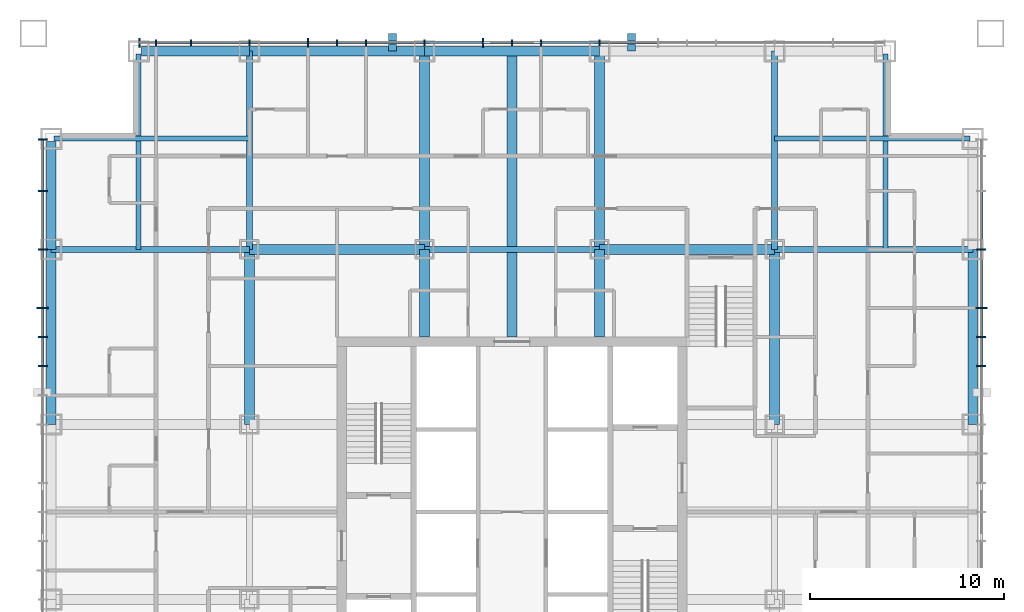
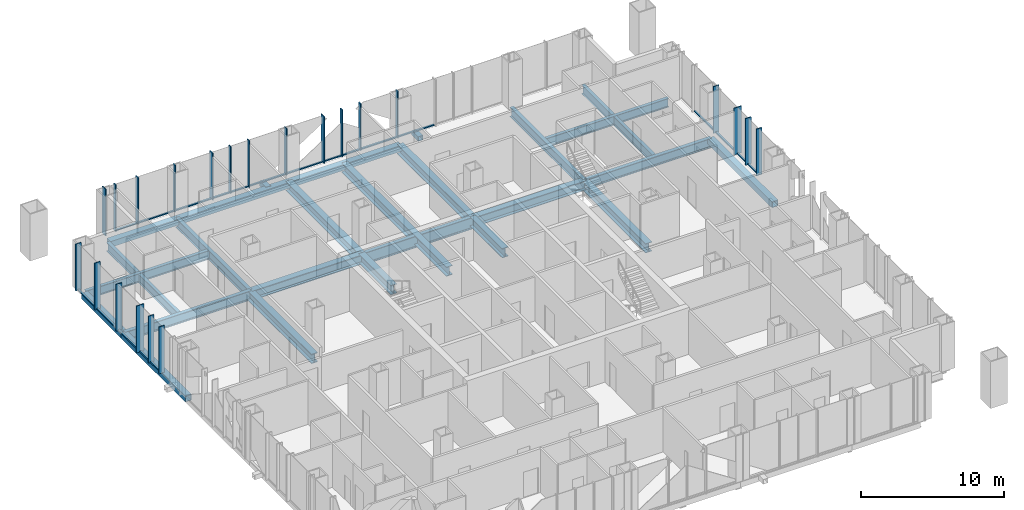
# One storey, part 5 of 16: 44 members, 24 beams, 3 elements without a shape of their own.
"""IFC4 building model written with IfcOpenShell, lengths in metres."""

from ifc_helpers import new_model, si_unit, direction, frame, origin, origin_2d, place, context, subcontext, project, spatial, rectangle, hollow_rectangle, i_section, extrude, material, layer, layer_set, material_profile, profile_set, type_object, element, aggregate, save


model = new_model("IFC4")

# Units and contexts
model_context = context("Model", 3, precision=1e-05, world=origin(), true_north=direction((0.0, 1.0)))
body_context = subcontext(model_context, "Body", "Model", "MODEL_VIEW")
ifc_project = project(units=[si_unit("LENGTHUNIT", "METRE"), si_unit("AREAUNIT", "SQUARE_METRE"), si_unit("VOLUMEUNIT", "CUBIC_METRE"), si_unit("PLANEANGLEUNIT", "RADIAN"), si_unit("MASSUNIT", "GRAM", prefix="KILO")], contexts=[model_context])

# Site, building, storey
site_placement = place(None, origin())
site = spatial("IfcSite", under=ifc_project, at=site_placement, CompositionType="ELEMENT")
building_placement = place(site_placement, origin())
building = spatial("IfcBuilding", under=site, at=building_placement, Name="Malebo Sky Hospital", CompositionType="ELEMENT")
storey_placement = place(building_placement, frame((0.0, 0.0, 152.0)))
storey = spatial("IfcBuildingStorey", under=building, at=storey_placement, Name="L36", CompositionType="ELEMENT", Elevation=152.0)

# Curtain wall, members
ifc_material_1 = material(Name="Anodised aluminium, natural silver", Category="aluminium")
ifc_layer_1 = layer(ifc_material_1, 0.25)
ifc_layer_set_1 = layer_set([ifc_layer_1], Name="WARD CURTAIN WALL NORTH AND SOUTH")
curtain_wall_type_1 = type_object("IfcCurtainWallType", Name="WARD CURTAIN WALL NORTH AND SOUTH", PredefinedType="NOTDEFINED", material=ifc_layer_set_1)
curtain_wall_1_placement = place(storey_placement, origin())
curtain_wall_1 = element("IfcCurtainWall", 1, at=curtain_wall_1_placement, inside=storey, type_object=curtain_wall_type_1, Name="NS curtain wall N", PredefinedType="NOTDEFINED")
ifc_material_profile_1 = material_profile(ifc_material_1, rectangle(XDim=0.14990234375, YDim=0.10009765625, at=origin_2d()), Name="ALUMINIUM TRANSOM 150x100")
ifc_profile_set_1 = profile_set([ifc_material_profile_1], Name="Anodised aluminium, natural silver")
member_type_1 = type_object("IfcMemberType", Name="ALUMINIUM TRANSOM 150x100", PredefinedType="USERDEFINED", material=ifc_profile_set_1)
member_1_placement = place(storey_placement, frame((41.737548828125, 86.135009765625, 0.050048828125), z_axis=(1.0, 0.0, 0.0), x_axis=(0.0, 1.0, 0.0)))
member_1 = element("IfcMember", 2, at=member_1_placement, type_object=member_type_1, Name="Transom 2", ObjectType="TRANSOM", PredefinedType="USERDEFINED", context=body_context, shape_type="SweptSolid", body=[
    extrude(rectangle(XDim=0.14990234375, YDim=0.10009765625, at=origin_2d()), origin(), (0.0, 0.0, 1.0), 1.724853515625),
])
member_2_placement = place(storey_placement, frame((43.53759765625, 86.135009765625, 0.050048828125), z_axis=(1.0, 0.0, 0.0), x_axis=(0.0, 1.0, 0.0)))
member_2 = element("IfcMember", 3, at=member_2_placement, type_object=member_type_1, Name="Transom 3", ObjectType="TRANSOM", PredefinedType="USERDEFINED", context=body_context, shape_type="SweptSolid", body=[
    extrude(rectangle(XDim=0.14990234375, YDim=0.10009765625, at=origin_2d()), origin(), (0.0, 0.0, 1.0), 2.9248046875),
])
member_3_placement = place(storey_placement, frame((46.53759765625, 86.135009765625, 0.050048828125), z_axis=(1.0, 0.0, 0.0), x_axis=(0.0, 1.0, 0.0)))
member_3 = element("IfcMember", 4, at=member_3_placement, type_object=member_type_1, Name="Transom 4", ObjectType="TRANSOM", PredefinedType="USERDEFINED", context=body_context, shape_type="SweptSolid", body=[
    extrude(rectangle(XDim=0.14990234375, YDim=0.10009765625, at=origin_2d()), origin(), (0.0, 0.0, 1.0), 2.9248046875),
])
member_4_placement = place(storey_placement, frame((49.53759765625, 86.135009765625, 0.050048828125), z_axis=(1.0, 0.0, 0.0), x_axis=(0.0, 1.0, 0.0)))
member_4 = element("IfcMember", 5, at=member_4_placement, type_object=member_type_1, Name="Transom 5", ObjectType="TRANSOM", PredefinedType="USERDEFINED", context=body_context, shape_type="SweptSolid", body=[
    extrude(rectangle(XDim=0.14990234375, YDim=0.10009765625, at=origin_2d()), origin(), (0.0, 0.0, 1.0), 1.4248046875),
])
member_5_placement = place(storey_placement, frame((51.03759765625, 86.135009765625, 0.050048828125), z_axis=(1.0, 0.0, 0.0), x_axis=(0.0, 1.0, 0.0)))
member_5 = element("IfcMember", 6, at=member_5_placement, type_object=member_type_1, Name="Transom 6", ObjectType="TRANSOM", PredefinedType="USERDEFINED", context=body_context, shape_type="SweptSolid", body=[
    extrude(rectangle(XDim=0.14990234375, YDim=0.10009765625, at=origin_2d()), origin(), (0.0, 0.0, 1.0), 1.4248046875),
])
member_6_placement = place(storey_placement, frame((52.53759765625, 86.135009765625, 0.050048828125), z_axis=(1.0, 0.0, 0.0), x_axis=(0.0, 1.0, 0.0)))
member_6 = element("IfcMember", 7, at=member_6_placement, type_object=member_type_1, Name="Transom 7", ObjectType="TRANSOM", PredefinedType="USERDEFINED", context=body_context, shape_type="SweptSolid", body=[
    extrude(rectangle(XDim=0.14990234375, YDim=0.10009765625, at=origin_2d()), origin(), (0.0, 0.0, 1.0), 2.9248046875),
])
member_7_placement = place(storey_placement, frame((55.53759765625, 86.135009765625, 0.050048828125), z_axis=(1.0, 0.0, 0.0), x_axis=(0.0, 1.0, 0.0)))
member_7 = element("IfcMember", 8, at=member_7_placement, type_object=member_type_1, Name="Transom 8", ObjectType="TRANSOM", PredefinedType="USERDEFINED", context=body_context, shape_type="SweptSolid", body=[
    extrude(rectangle(XDim=0.14990234375, YDim=0.10009765625, at=origin_2d()), origin(), (0.0, 0.0, 1.0), 2.9248046875),
])
member_8_placement = place(storey_placement, frame((58.53759765625, 86.135009765625, 0.050048828125), z_axis=(1.0, 0.0, 0.0), x_axis=(0.0, 1.0, 0.0)))
member_8 = element("IfcMember", 9, at=member_8_placement, type_object=member_type_1, Name="Transom 9", ObjectType="TRANSOM", PredefinedType="USERDEFINED", context=body_context, shape_type="SweptSolid", body=[
    extrude(rectangle(XDim=0.14990234375, YDim=0.10009765625, at=origin_2d()), origin(), (0.0, 0.0, 1.0), 1.4248046875),
])
member_9_placement = place(storey_placement, frame((60.03759765625, 86.135009765625, 0.050048828125), z_axis=(1.0, 0.0, 0.0), x_axis=(0.0, 1.0, 0.0)))
member_9 = element("IfcMember", 10, at=member_9_placement, type_object=member_type_1, Name="Transom 10", ObjectType="TRANSOM", PredefinedType="USERDEFINED", context=body_context, shape_type="SweptSolid", body=[
    extrude(rectangle(XDim=0.14990234375, YDim=0.10009765625, at=origin_2d()), origin(), (0.0, 0.0, 1.0), 1.4248046875),
])
member_10_placement = place(storey_placement, frame((61.53759765625, 86.135009765625, 0.050048828125), z_axis=(1.0, 0.0, 0.0), x_axis=(0.0, 1.0, 0.0)))
member_10 = element("IfcMember", 11, at=member_10_placement, type_object=member_type_1, Name="Transom 11", ObjectType="TRANSOM", PredefinedType="USERDEFINED", context=body_context, shape_type="SweptSolid", body=[
    extrude(rectangle(XDim=0.14990234375, YDim=0.10009765625, at=origin_2d()), origin(), (0.0, 0.0, 1.0), 2.9248046875),
])
member_11_placement = place(storey_placement, frame((64.53759765625, 86.135009765625, 0.050048828125), z_axis=(1.0, 0.0, 0.0), x_axis=(0.0, 1.0, 0.0)))
member_11 = element("IfcMember", 12, at=member_11_placement, type_object=member_type_1, Name="Transom 12", ObjectType="TRANSOM", PredefinedType="USERDEFINED", context=body_context, shape_type="SweptSolid", body=[
    extrude(rectangle(XDim=0.14990234375, YDim=0.10009765625, at=origin_2d()), origin(), (0.0, 0.0, 1.0), 2.9248046875),
])

ifc_layer_2 = layer(ifc_material_1, 0.25)
ifc_layer_set_2 = layer_set([ifc_layer_2], Name="WARD CURTAIN WALL EAST AND WEST")
curtain_wall_type_2 = type_object("IfcCurtainWallType", Name="WARD CURTAIN WALL EAST AND WEST", PredefinedType="NOTDEFINED", material=ifc_layer_set_2)
curtain_wall_2_placement = place(storey_placement, origin())
curtain_wall_2 = element("IfcCurtainWall", 13, at=curtain_wall_2_placement, inside=storey, type_object=curtain_wall_type_2, Name="EW curtain wall W", PredefinedType="NOTDEFINED")
member_12_placement = place(storey_placement, frame((35.864990234375, 69.53759765625, 0.050048828125), z_axis=(0.0, 1.0, 0.0), x_axis=(-1.0, 0.0, 0.0)))
member_12 = element("IfcMember", 14, at=member_12_placement, type_object=member_type_1, Name="Transom 15", ObjectType="TRANSOM", PredefinedType="USERDEFINED", context=body_context, shape_type="SweptSolid", body=[
    extrude(rectangle(XDim=0.14990234375, YDim=0.10009765625, at=origin_2d()), origin(), (0.0, 0.0, 1.0), 1.4248046875),
])
member_13_placement = place(storey_placement, frame((35.864990234375, 71.03759765625, 0.050048828125), z_axis=(0.0, 1.0, 0.0), x_axis=(-1.0, 0.0, 0.0)))
member_13 = element("IfcMember", 15, at=member_13_placement, type_object=member_type_1, Name="Transom 16", ObjectType="TRANSOM", PredefinedType="USERDEFINED", context=body_context, shape_type="SweptSolid", body=[
    extrude(rectangle(XDim=0.14990234375, YDim=0.10009765625, at=origin_2d()), origin(), (0.0, 0.0, 1.0), 1.4248046875),
])
member_14_placement = place(storey_placement, frame((35.864990234375, 72.53759765625, 0.050048828125), z_axis=(0.0, 1.0, 0.0), x_axis=(-1.0, 0.0, 0.0)))
member_14 = element("IfcMember", 16, at=member_14_placement, type_object=member_type_1, Name="Transom 17", ObjectType="TRANSOM", PredefinedType="USERDEFINED", context=body_context, shape_type="SweptSolid", body=[
    extrude(rectangle(XDim=0.14990234375, YDim=0.10009765625, at=origin_2d()), origin(), (0.0, 0.0, 1.0), 2.9248046875),
])
member_15_placement = place(storey_placement, frame((35.864990234375, 75.53759765625, 0.050048828125), z_axis=(0.0, 1.0, 0.0), x_axis=(-1.0, 0.0, 0.0)))
member_15 = element("IfcMember", 17, at=member_15_placement, type_object=member_type_1, Name="Transom 18", ObjectType="TRANSOM", PredefinedType="USERDEFINED", context=body_context, shape_type="SweptSolid", body=[
    extrude(rectangle(XDim=0.14990234375, YDim=0.10009765625, at=origin_2d()), origin(), (0.0, 0.0, 1.0), 2.9248046875),
])
member_16_placement = place(storey_placement, frame((35.864990234375, 78.53759765625, 0.050048828125), z_axis=(0.0, 1.0, 0.0), x_axis=(-1.0, 0.0, 0.0)))
member_16 = element("IfcMember", 18, at=member_16_placement, type_object=member_type_1, Name="Transom 19", ObjectType="TRANSOM", PredefinedType="USERDEFINED", context=body_context, shape_type="SweptSolid", body=[
    extrude(rectangle(XDim=0.14990234375, YDim=0.10009765625, at=origin_2d()), origin(), (0.0, 0.0, 1.0), 2.58740234375),
])

curtain_wall_3_placement = place(storey_placement, origin())
curtain_wall_3 = element("IfcCurtainWall", 19, at=curtain_wall_3_placement, inside=storey, type_object=curtain_wall_type_2, Name="EW curtain wall E", PredefinedType="NOTDEFINED")
member_17_placement = place(storey_placement, frame((84.135009765625, 78.46240234375, 0.050048828125), z_axis=(0.0, -1.0, 0.0), x_axis=(1.0, 0.0, 0.0)))
member_17 = element("IfcMember", 20, at=member_17_placement, type_object=member_type_1, Name="Transom 3", ObjectType="TRANSOM", PredefinedType="USERDEFINED", context=body_context, shape_type="SweptSolid", body=[
    extrude(rectangle(XDim=0.14990234375, YDim=0.10009765625, at=origin_2d()), origin(), (0.0, 0.0, 1.0), 2.9248046875),
])
member_18_placement = place(storey_placement, frame((84.135009765625, 75.46240234375, 0.050048828125), z_axis=(0.0, -1.0, 0.0), x_axis=(1.0, 0.0, 0.0)))
member_18 = element("IfcMember", 21, at=member_18_placement, type_object=member_type_1, Name="Transom 4", ObjectType="TRANSOM", PredefinedType="USERDEFINED", context=body_context, shape_type="SweptSolid", body=[
    extrude(rectangle(XDim=0.14990234375, YDim=0.10009765625, at=origin_2d()), origin(), (0.0, 0.0, 1.0), 2.9248046875),
])
member_19_placement = place(storey_placement, frame((84.135009765625, 72.46240234375, 0.050048828125), z_axis=(0.0, -1.0, 0.0), x_axis=(1.0, 0.0, 0.0)))
member_19 = element("IfcMember", 22, at=member_19_placement, type_object=member_type_1, Name="Transom 5", ObjectType="TRANSOM", PredefinedType="USERDEFINED", context=body_context, shape_type="SweptSolid", body=[
    extrude(rectangle(XDim=0.14990234375, YDim=0.10009765625, at=origin_2d()), origin(), (0.0, 0.0, 1.0), 1.4248046875),
])
member_20_placement = place(storey_placement, frame((84.135009765625, 70.96240234375, 0.050048828125), z_axis=(0.0, -1.0, 0.0), x_axis=(1.0, 0.0, 0.0)))
member_20 = element("IfcMember", 23, at=member_20_placement, type_object=member_type_1, Name="Transom 6", ObjectType="TRANSOM", PredefinedType="USERDEFINED", context=body_context, shape_type="SweptSolid", body=[
    extrude(rectangle(XDim=0.14990234375, YDim=0.10009765625, at=origin_2d()), origin(), (0.0, 0.0, 1.0), 1.4248046875),
])

# Members
ifc_material_2 = material(Name="Steel S355", Category="steel")
ifc_material_profile_2 = material_profile(ifc_material_2, hollow_rectangle(XDim=0.39990234375, YDim=0.39990234375, WallThickness=0.02001953125, at=origin_2d()), Name="SHS 400x20")
ifc_profile_set_2 = profile_set([ifc_material_profile_2], Name="Steel S355")
member_type_2 = type_object("IfcMemberType", Name="BRACE STRUT SHS 400x20", PredefinedType="STRUT", material=ifc_profile_set_2)
for number, where, z_axis, x_axis, name in (
    (24, (66.14990234375, 86.60009765625, -0.39990234375), (0.0, -1.0, 0.0), (1.0, 0.0, 0.0), "Brace strut BN1 L36"),
    (25, (53.85009765625, 86.60009765625, -0.39990234375), (0.0, -1.0, 0.0), (1.0, 0.0, 0.0), "Brace strut BN2 L36"),
):
    element("IfcMember", number, at=place(storey_placement, frame(where, z_axis=z_axis, x_axis=x_axis)), inside=storey, type_object=member_type_2, Name=name, PredefinedType="STRUT", context=body_context, shape_type="SweptSolid", body=[
        extrude(hollow_rectangle(XDim=0.39990234375, YDim=0.39990234375, WallThickness=0.02001953125, at=origin_2d()), origin(), (0.0, 0.0, 1.0), 0.900146484375),
    ])

# Member
ifc_material_profile_3 = material_profile(ifc_material_1, rectangle(XDim=0.074951171875, YDim=0.300048828125, at=origin_2d()), Name="CW1 ALUMINIUM FIN MULLION 75x300")
ifc_profile_set_3 = profile_set([ifc_material_profile_3], Name="Anodised aluminium, natural silver")
member_type_3 = type_object("IfcMemberType", Name="CW1 ALUMINIUM FIN MULLION 75x300", PredefinedType="MULLION", material=ifc_profile_set_3)
member_21_placement = place(storey_placement, frame((41.699951171875, 86.135009765625, 0.0), z_axis=(0.0, 0.0, 1.0), x_axis=(1.0, 0.0, 0.0)))
member_21 = element("IfcMember", 26, at=member_21_placement, type_object=member_type_3, Name="Fin mullion 2", PredefinedType="MULLION", context=body_context, shape_type="SweptSolid", body=[
    extrude(rectangle(XDim=0.074951171875, YDim=0.300048828125, at=origin_2d()), origin(), (0.0, 0.0, 1.0), 4.0),
])

member_22_placement = place(storey_placement, frame((43.5, 86.135009765625, 0.0), z_axis=(0.0, 0.0, 1.0), x_axis=(1.0, 0.0, 0.0)))
member_22 = element("IfcMember", 27, at=member_22_placement, type_object=member_type_3, Name="Fin mullion 3", PredefinedType="MULLION", context=body_context, shape_type="SweptSolid", body=[
    extrude(rectangle(XDim=0.074951171875, YDim=0.300048828125, at=origin_2d()), origin(), (0.0, 0.0, 1.0), 4.0),
])

member_23_placement = place(storey_placement, frame((46.5, 86.135009765625, 0.0), z_axis=(0.0, 0.0, 1.0), x_axis=(1.0, 0.0, 0.0)))
member_23 = element("IfcMember", 28, at=member_23_placement, type_object=member_type_3, Name="Fin mullion 4", PredefinedType="MULLION", context=body_context, shape_type="SweptSolid", body=[
    extrude(rectangle(XDim=0.074951171875, YDim=0.300048828125, at=origin_2d()), origin(), (0.0, 0.0, 1.0), 4.0),
])

member_24_placement = place(storey_placement, frame((51.0, 86.135009765625, 0.0), z_axis=(0.0, 0.0, 1.0), x_axis=(1.0, 0.0, 0.0)))
member_24 = element("IfcMember", 29, at=member_24_placement, type_object=member_type_3, Name="Fin mullion 6", PredefinedType="MULLION", context=body_context, shape_type="SweptSolid", body=[
    extrude(rectangle(XDim=0.074951171875, YDim=0.300048828125, at=origin_2d()), origin(), (0.0, 0.0, 1.0), 4.0),
])

member_25_placement = place(storey_placement, frame((52.5, 86.135009765625, 0.0), z_axis=(0.0, 0.0, 1.0), x_axis=(1.0, 0.0, 0.0)))
member_25 = element("IfcMember", 30, at=member_25_placement, type_object=member_type_3, Name="Fin mullion 7", PredefinedType="MULLION", context=body_context, shape_type="SweptSolid", body=[
    extrude(rectangle(XDim=0.074951171875, YDim=0.300048828125, at=origin_2d()), origin(), (0.0, 0.0, 1.0), 4.0),
])

member_26_placement = place(storey_placement, frame((55.5, 86.135009765625, 0.0), z_axis=(0.0, 0.0, 1.0), x_axis=(1.0, 0.0, 0.0)))
member_26 = element("IfcMember", 31, at=member_26_placement, type_object=member_type_3, Name="Fin mullion 8", PredefinedType="MULLION", context=body_context, shape_type="SweptSolid", body=[
    extrude(rectangle(XDim=0.074951171875, YDim=0.300048828125, at=origin_2d()), origin(), (0.0, 0.0, 1.0), 4.0),
])

member_27_placement = place(storey_placement, frame((60.0, 86.135009765625, 0.0), z_axis=(0.0, 0.0, 1.0), x_axis=(1.0, 0.0, 0.0)))
member_27 = element("IfcMember", 32, at=member_27_placement, type_object=member_type_3, Name="Fin mullion 10", PredefinedType="MULLION", context=body_context, shape_type="SweptSolid", body=[
    extrude(rectangle(XDim=0.074951171875, YDim=0.300048828125, at=origin_2d()), origin(), (0.0, 0.0, 1.0), 4.0),
])

member_28_placement = place(storey_placement, frame((61.5, 86.135009765625, 0.0), z_axis=(0.0, 0.0, 1.0), x_axis=(1.0, 0.0, 0.0)))
member_28 = element("IfcMember", 33, at=member_28_placement, type_object=member_type_3, Name="Fin mullion 11", PredefinedType="MULLION", context=body_context, shape_type="SweptSolid", body=[
    extrude(rectangle(XDim=0.074951171875, YDim=0.300048828125, at=origin_2d()), origin(), (0.0, 0.0, 1.0), 4.0),
])

member_29_placement = place(storey_placement, frame((64.5, 86.135009765625, 0.0), z_axis=(0.0, 0.0, 1.0), x_axis=(1.0, 0.0, 0.0)))
member_29 = element("IfcMember", 34, at=member_29_placement, type_object=member_type_3, Name="Fin mullion 12", PredefinedType="MULLION", context=body_context, shape_type="SweptSolid", body=[
    extrude(rectangle(XDim=0.074951171875, YDim=0.300048828125, at=origin_2d()), origin(), (0.0, 0.0, 1.0), 4.0),
])

ifc_material_profile_4 = material_profile(ifc_material_1, rectangle(XDim=0.074951171875, YDim=0.449951171875, at=origin_2d()), Name="CW1 ALUMINIUM FIN MULLION 75x450")
ifc_profile_set_4 = profile_set([ifc_material_profile_4], Name="Anodised aluminium, natural silver")
member_type_4 = type_object("IfcMemberType", Name="CW1 ALUMINIUM FIN MULLION 75x450", PredefinedType="MULLION", material=ifc_profile_set_4)
member_30_placement = place(storey_placement, frame((40.83740234375, 86.135009765625, 0.0), z_axis=(0.0, 0.0, 1.0), x_axis=(1.0, 0.0, 0.0)))
member_30 = element("IfcMember", 35, at=member_30_placement, type_object=member_type_4, Name="Fin mullion 1", PredefinedType="MULLION", context=body_context, shape_type="SweptSolid", body=[
    extrude(rectangle(XDim=0.074951171875, YDim=0.449951171875, at=origin_2d()), origin(), (0.0, 0.0, 1.0), 4.0),
])

member_31_placement = place(storey_placement, frame((49.5, 86.135009765625, 0.0), z_axis=(0.0, 0.0, 1.0), x_axis=(1.0, 0.0, 0.0)))
member_31 = element("IfcMember", 36, at=member_31_placement, type_object=member_type_4, Name="Fin mullion 5", PredefinedType="MULLION", context=body_context, shape_type="SweptSolid", body=[
    extrude(rectangle(XDim=0.074951171875, YDim=0.449951171875, at=origin_2d()), origin(), (0.0, 0.0, 1.0), 4.0),
])

member_32_placement = place(storey_placement, frame((58.5, 86.135009765625, 0.0), z_axis=(0.0, 0.0, 1.0), x_axis=(1.0, 0.0, 0.0)))
member_32 = element("IfcMember", 37, at=member_32_placement, type_object=member_type_4, Name="Fin mullion 9", PredefinedType="MULLION", context=body_context, shape_type="SweptSolid", body=[
    extrude(rectangle(XDim=0.074951171875, YDim=0.449951171875, at=origin_2d()), origin(), (0.0, 0.0, 1.0), 4.0),
])

aggregate(curtain_wall_1, [member_30, member_21, member_22, member_23, member_31, member_24, member_25, member_26, member_32, member_27, member_28, member_29, member_1, member_2, member_3, member_4, member_5, member_6, member_7, member_8, member_9, member_10, member_11])

ifc_material_profile_5 = material_profile(ifc_material_1, rectangle(XDim=0.074951171875, YDim=0.449951171875, at=origin_2d()), Name="CW2 ALUMINIUM FIN MULLION 75x450")
ifc_profile_set_5 = profile_set([ifc_material_profile_5], Name="Anodised aluminium, natural silver")
member_type_5 = type_object("IfcMemberType", Name="CW2 ALUMINIUM FIN MULLION 75x450", PredefinedType="MULLION", material=ifc_profile_set_5)
member_33_placement = place(storey_placement, frame((35.864990234375, 69.5, 0.0), z_axis=(0.0, 0.0, 1.0), x_axis=(0.0, 1.0, 0.0)))
member_33 = element("IfcMember", 38, at=member_33_placement, type_object=member_type_5, Name="Fin mullion 15", PredefinedType="MULLION", context=body_context, shape_type="SweptSolid", body=[
    extrude(rectangle(XDim=0.074951171875, YDim=0.449951171875, at=origin_2d()), origin(), (0.0, 0.0, 1.0), 4.0),
])

member_34_placement = place(storey_placement, frame((35.864990234375, 71.0, 0.0), z_axis=(0.0, 0.0, 1.0), x_axis=(0.0, 1.0, 0.0)))
member_34 = element("IfcMember", 39, at=member_34_placement, type_object=member_type_5, Name="Fin mullion 16", PredefinedType="MULLION", context=body_context, shape_type="SweptSolid", body=[
    extrude(rectangle(XDim=0.074951171875, YDim=0.449951171875, at=origin_2d()), origin(), (0.0, 0.0, 1.0), 4.0),
])

member_35_placement = place(storey_placement, frame((35.864990234375, 75.5, 0.0), z_axis=(0.0, 0.0, 1.0), x_axis=(0.0, 1.0, 0.0)))
member_35 = element("IfcMember", 40, at=member_35_placement, type_object=member_type_5, Name="Fin mullion 18", PredefinedType="MULLION", context=body_context, shape_type="SweptSolid", body=[
    extrude(rectangle(XDim=0.074951171875, YDim=0.449951171875, at=origin_2d()), origin(), (0.0, 0.0, 1.0), 4.0),
])

member_36_placement = place(storey_placement, frame((35.864990234375, 78.5, 0.0), z_axis=(0.0, 0.0, 1.0), x_axis=(0.0, 1.0, 0.0)))
member_36 = element("IfcMember", 41, at=member_36_placement, type_object=member_type_5, Name="Fin mullion 19", PredefinedType="MULLION", context=body_context, shape_type="SweptSolid", body=[
    extrude(rectangle(XDim=0.074951171875, YDim=0.449951171875, at=origin_2d()), origin(), (0.0, 0.0, 1.0), 4.0),
])

member_37_placement = place(storey_placement, frame((35.864990234375, 81.16259765625, 0.0), z_axis=(0.0, 0.0, 1.0), x_axis=(0.0, 1.0, 0.0)))
member_37 = element("IfcMember", 42, at=member_37_placement, type_object=member_type_5, Name="Fin mullion 20", PredefinedType="MULLION", context=body_context, shape_type="SweptSolid", body=[
    extrude(rectangle(XDim=0.074951171875, YDim=0.449951171875, at=origin_2d()), origin(), (0.0, 0.0, 1.0), 4.0),
])

member_38_placement = place(storey_placement, frame((84.135009765625, 75.5, 0.0), z_axis=(0.0, 0.0, 1.0), x_axis=(0.0, -1.0, 0.0)))
member_38 = element("IfcMember", 43, at=member_38_placement, type_object=member_type_5, Name="Fin mullion 4", PredefinedType="MULLION", context=body_context, shape_type="SweptSolid", body=[
    extrude(rectangle(XDim=0.074951171875, YDim=0.449951171875, at=origin_2d()), origin(), (0.0, 0.0, 1.0), 4.0),
])

member_39_placement = place(storey_placement, frame((84.135009765625, 71.0, 0.0), z_axis=(0.0, 0.0, 1.0), x_axis=(0.0, -1.0, 0.0)))
member_39 = element("IfcMember", 44, at=member_39_placement, type_object=member_type_5, Name="Fin mullion 6", PredefinedType="MULLION", context=body_context, shape_type="SweptSolid", body=[
    extrude(rectangle(XDim=0.074951171875, YDim=0.449951171875, at=origin_2d()), origin(), (0.0, 0.0, 1.0), 4.0),
])

member_40_placement = place(storey_placement, frame((84.135009765625, 69.5, 0.0), z_axis=(0.0, 0.0, 1.0), x_axis=(0.0, -1.0, 0.0)))
member_40 = element("IfcMember", 45, at=member_40_placement, type_object=member_type_5, Name="Fin mullion 7", PredefinedType="MULLION", context=body_context, shape_type="SweptSolid", body=[
    extrude(rectangle(XDim=0.074951171875, YDim=0.449951171875, at=origin_2d()), origin(), (0.0, 0.0, 1.0), 4.0),
])

ifc_material_profile_6 = material_profile(ifc_material_1, rectangle(XDim=0.074951171875, YDim=0.60009765625, at=origin_2d()), Name="CW2 ALUMINIUM FIN MULLION 75x600")
ifc_profile_set_6 = profile_set([ifc_material_profile_6], Name="Anodised aluminium, natural silver")
member_type_6 = type_object("IfcMemberType", Name="CW2 ALUMINIUM FIN MULLION 75x600", PredefinedType="MULLION", material=ifc_profile_set_6)
member_41_placement = place(storey_placement, frame((35.864990234375, 72.5, 0.0), z_axis=(0.0, 0.0, 1.0), x_axis=(0.0, 1.0, 0.0)))
member_41 = element("IfcMember", 46, at=member_41_placement, type_object=member_type_6, Name="Fin mullion 17", PredefinedType="MULLION", context=body_context, shape_type="SweptSolid", body=[
    extrude(rectangle(XDim=0.074951171875, YDim=0.60009765625, at=origin_2d()), origin(), (0.0, 0.0, 1.0), 4.0),
])

aggregate(curtain_wall_2, [member_33, member_34, member_41, member_35, member_36, member_37, member_12, member_13, member_14, member_15, member_16])

member_42_placement = place(storey_placement, frame((84.135009765625, 72.5, 0.0), z_axis=(0.0, 0.0, 1.0), x_axis=(0.0, -1.0, 0.0)))
member_42 = element("IfcMember", 47, at=member_42_placement, type_object=member_type_6, Name="Fin mullion 5", PredefinedType="MULLION", context=body_context, shape_type="SweptSolid", body=[
    extrude(rectangle(XDim=0.074951171875, YDim=0.60009765625, at=origin_2d()), origin(), (0.0, 0.0, 1.0), 4.0),
])

aggregate(curtain_wall_3, [member_38, member_42, member_39, member_40, member_17, member_18, member_19, member_20])

# Beams
ifc_material_3 = material(Name="Steel S460", Category="steel")
ifc_material_profile_7 = material_profile(ifc_material_3, hollow_rectangle(XDim=0.5, YDim=0.5, WallThickness=0.030029296875, at=origin_2d()), Name="BOX 500x500x30")
ifc_profile_set_7 = profile_set([ifc_material_profile_7], Name="Steel S460")
beam_type_1 = type_object("IfcBeamType", Name="EDGE BEAM BOX 500x500x30", PredefinedType="BEAM", material=ifc_profile_set_7)
beam_1_placement = place(storey_placement, frame((36.300048828125, 66.5, -0.5), z_axis=(0.0, 1.0, 0.0), x_axis=(-1.0, 0.0, 0.0)))
element("IfcBeam", 48, at=beam_1_placement, inside=storey, type_object=beam_type_1, Name="Beam 003 L36", PredefinedType="BEAM", context=body_context, shape_type="SweptSolid", body=[
    extrude(hollow_rectangle(XDim=0.5, YDim=0.5, WallThickness=0.030029296875, at=origin_2d()), origin(), (0.0, 0.0, 1.0), 9.0),
])
beam_2_placement = place(storey_placement, frame((36.300048828125, 75.5, -0.5), z_axis=(0.0, 1.0, 0.0), x_axis=(-1.0, 0.0, 0.0)))
element("IfcBeam", 49, at=beam_2_placement, inside=storey, type_object=beam_type_1, Name="Beam 004 L36", PredefinedType="BEAM", context=body_context, shape_type="SweptSolid", body=[
    extrude(hollow_rectangle(XDim=0.5, YDim=0.5, WallThickness=0.030029296875, at=origin_2d()), origin(), (0.0, 0.0, 1.0), 5.550048828125),
])
beam_3_placement = place(storey_placement, frame((83.699951171875, 66.5, -0.5), z_axis=(0.0, 1.0, 0.0), x_axis=(-1.0, 0.0, 0.0)))
element("IfcBeam", 50, at=beam_3_placement, inside=storey, type_object=beam_type_1, Name="Beam 032 L36", PredefinedType="BEAM", context=body_context, shape_type="SweptSolid", body=[
    extrude(hollow_rectangle(XDim=0.5, YDim=0.5, WallThickness=0.030029296875, at=origin_2d()), origin(), (0.0, 0.0, 1.0), 9.0),
])
beam_4_placement = place(storey_placement, frame((40.949951171875, 85.699951171875, -0.5), z_axis=(1.0, 0.0, 0.0), x_axis=(0.0, 1.0, 0.0)))
element("IfcBeam", 51, at=beam_4_placement, inside=storey, type_object=beam_type_1, Name="Beam 063 L36", PredefinedType="BEAM", context=body_context, shape_type="SweptSolid", body=[
    extrude(hollow_rectangle(XDim=0.5, YDim=0.5, WallThickness=0.030029296875, at=origin_2d()), origin(), (0.0, 0.0, 1.0), 5.550048828125),
])
for number, where, z_axis, x_axis, name in (
    (52, (46.5, 85.699951171875, -0.5), (1.0, 0.0, 0.0), (0.0, 1.0, 0.0), "Beam 064 L36"),
    (53, (55.5, 85.699951171875, -0.5), (1.0, 0.0, 0.0), (0.0, 1.0, 0.0), "Beam 065 L36"),
):
    element("IfcBeam", number, at=place(storey_placement, frame(where, z_axis=z_axis, x_axis=x_axis)), inside=storey, type_object=beam_type_1, Name=name, PredefinedType="BEAM", context=body_context, shape_type="SweptSolid", body=[
        extrude(hollow_rectangle(XDim=0.5, YDim=0.5, WallThickness=0.030029296875, at=origin_2d()), origin(), (0.0, 0.0, 1.0), 9.0),
    ])
ifc_material_profile_8 = material_profile(ifc_material_2, i_section(OverallWidth=0.262939453125, OverallDepth=0.7529296875, WebThickness=0.011474609375, FlangeThickness=0.01708984375, FilletRadius=0.01708984375, at=origin_2d()), Name="IPE 750x137")
ifc_profile_set_8 = profile_set([ifc_material_profile_8], Name="Steel S355")
beam_type_2 = type_object("IfcBeamType", Name="FLOOR BEAM IPE 750x137", PredefinedType="BEAM", material=ifc_profile_set_8)
for number, where, z_axis, x_axis, name in (
    (54, (40.800048828125, 75.5, -0.62646484375), (0.0, 1.0, 0.0), (-1.0, 0.0, 0.0), "Beam 006 L36"),
    (55, (79.199951171875, 75.5, -0.62646484375), (0.0, 1.0, 0.0), (-1.0, 0.0, 0.0), "Beam 028 L36"),
    (56, (36.449951171875, 81.199951171875, -0.62646484375), (1.0, 0.0, 0.0), (0.0, 1.0, 0.0), "Beam 061 L36"),
    (57, (73.5, 81.199951171875, -0.62646484375), (1.0, 0.0, 0.0), (0.0, 1.0, 0.0), "Beam 062 L36"),
):
    element("IfcBeam", number, at=place(storey_placement, frame(where, z_axis=z_axis, x_axis=x_axis)), inside=storey, type_object=beam_type_2, Name=name, PredefinedType="BEAM", context=body_context, shape_type="SweptSolid", body=[
        extrude(i_section(OverallWidth=0.262939453125, OverallDepth=0.7529296875, WebThickness=0.011474609375, FlangeThickness=0.01708984375, FilletRadius=0.01708984375, at=origin_2d()), origin(), (0.0, 0.0, 1.0), 10.050048828125),
    ])
ifc_material_profile_9 = material_profile(ifc_material_2, i_section(OverallWidth=0.5, OverallDepth=0.800048828125, WebThickness=0.030029296875, FlangeThickness=0.050048828125, at=origin_2d()), Name="PG 800x500x30x50")
ifc_profile_set_9 = profile_set([ifc_material_profile_9], Name="Steel S355")
beam_type_3 = type_object("IfcBeamType", Name="FLOOR BEAM PG 800x500x30x50", PredefinedType="BEAM", material=ifc_profile_set_9)
beam_5_placement = place(storey_placement, frame((46.5, 66.5, -0.64990234375), z_axis=(0.0, 1.0, 0.0), x_axis=(-1.0, 0.0, 0.0)))
element("IfcBeam", 58, at=beam_5_placement, inside=storey, type_object=beam_type_3, Name="Beam 010 L36", PredefinedType="BEAM", context=body_context, shape_type="SweptSolid", body=[
    extrude(i_section(OverallWidth=0.5, OverallDepth=0.800048828125, WebThickness=0.030029296875, FlangeThickness=0.050048828125, at=origin_2d()), origin(), (0.0, 0.0, 1.0), 9.0),
])
beam_6_placement = place(storey_placement, frame((55.5, 71.0, -0.64990234375), z_axis=(0.0, 1.0, 0.0), x_axis=(-1.0, 0.0, 0.0)))
element("IfcBeam", 59, at=beam_6_placement, inside=storey, type_object=beam_type_3, Name="Beam 014 L36", PredefinedType="BEAM", context=body_context, shape_type="SweptSolid", body=[
    extrude(i_section(OverallWidth=0.5, OverallDepth=0.800048828125, WebThickness=0.030029296875, FlangeThickness=0.050048828125, at=origin_2d()), origin(), (0.0, 0.0, 1.0), 4.5),
])
beam_7_placement = place(storey_placement, frame((55.5, 75.5, -0.64990234375), z_axis=(0.0, 1.0, 0.0), x_axis=(-1.0, 0.0, 0.0)))
element("IfcBeam", 60, at=beam_7_placement, inside=storey, type_object=beam_type_3, Name="Beam 015 L36", PredefinedType="BEAM", context=body_context, shape_type="SweptSolid", body=[
    extrude(i_section(OverallWidth=0.5, OverallDepth=0.800048828125, WebThickness=0.030029296875, FlangeThickness=0.050048828125, at=origin_2d()), origin(), (0.0, 0.0, 1.0), 10.199951171875),
])
beam_8_placement = place(storey_placement, frame((60.0, 71.0, -0.64990234375), z_axis=(0.0, 1.0, 0.0), x_axis=(-1.0, 0.0, 0.0)))
element("IfcBeam", 61, at=beam_8_placement, inside=storey, type_object=beam_type_3, Name="Beam 017 L36", PredefinedType="BEAM", context=body_context, shape_type="SweptSolid", body=[
    extrude(i_section(OverallWidth=0.5, OverallDepth=0.800048828125, WebThickness=0.030029296875, FlangeThickness=0.050048828125, at=origin_2d()), origin(), (0.0, 0.0, 1.0), 14.699951171875),
])
beam_9_placement = place(storey_placement, frame((64.5, 71.0, -0.64990234375), z_axis=(0.0, 1.0, 0.0), x_axis=(-1.0, 0.0, 0.0)))
element("IfcBeam", 62, at=beam_9_placement, inside=storey, type_object=beam_type_3, Name="Beam 020 L36", PredefinedType="BEAM", context=body_context, shape_type="SweptSolid", body=[
    extrude(i_section(OverallWidth=0.5, OverallDepth=0.800048828125, WebThickness=0.030029296875, FlangeThickness=0.050048828125, at=origin_2d()), origin(), (0.0, 0.0, 1.0), 4.5),
])
beam_10_placement = place(storey_placement, frame((64.5, 75.5, -0.64990234375), z_axis=(0.0, 1.0, 0.0), x_axis=(-1.0, 0.0, 0.0)))
element("IfcBeam", 63, at=beam_10_placement, inside=storey, type_object=beam_type_3, Name="Beam 021 L36", PredefinedType="BEAM", context=body_context, shape_type="SweptSolid", body=[
    extrude(i_section(OverallWidth=0.5, OverallDepth=0.800048828125, WebThickness=0.030029296875, FlangeThickness=0.050048828125, at=origin_2d()), origin(), (0.0, 0.0, 1.0), 10.199951171875),
])
for number, where, z_axis, x_axis, name in (
    (64, (73.5, 66.5, -0.64990234375), (0.0, 1.0, 0.0), (-1.0, 0.0, 0.0), "Beam 025 L36"),
    (65, (46.5, 75.5, -0.64990234375), (1.0, 0.0, 0.0), (0.0, 1.0, 0.0), "Beam 057 L36"),
    (66, (64.5, 75.5, -0.64990234375), (1.0, 0.0, 0.0), (0.0, 1.0, 0.0), "Beam 059 L36"),
):
    element("IfcBeam", number, at=place(storey_placement, frame(where, z_axis=z_axis, x_axis=x_axis)), inside=storey, type_object=beam_type_3, Name=name, PredefinedType="BEAM", context=body_context, shape_type="SweptSolid", body=[
        extrude(i_section(OverallWidth=0.5, OverallDepth=0.800048828125, WebThickness=0.030029296875, FlangeThickness=0.050048828125, at=origin_2d()), origin(), (0.0, 0.0, 1.0), 9.0),
    ])
ifc_material_profile_10 = material_profile(ifc_material_2, i_section(OverallWidth=0.300048828125, OverallDepth=0.800048828125, WebThickness=0.017578125, FlangeThickness=0.032958984375, FilletRadius=0.030029296875, at=origin_2d()), Name="HEB 800")
ifc_profile_set_10 = profile_set([ifc_material_profile_10], Name="Steel S355")
beam_type_4 = type_object("IfcBeamType", Name="FLOOR GIRDER HEB 800", PredefinedType="BEAM", material=ifc_profile_set_10)
for number, where, z_axis, x_axis, name in (
    (67, (46.5, 75.5, -0.64990234375), (0.0, 1.0, 0.0), (-1.0, 0.0, 0.0), "Beam 011 L36"),
    (68, (73.5, 75.5, -0.64990234375), (0.0, 1.0, 0.0), (-1.0, 0.0, 0.0), "Beam 026 L36"),
    (69, (36.300048828125, 75.5, -0.64990234375), (1.0, 0.0, 0.0), (0.0, 1.0, 0.0), "Beam 056 L36"),
    (70, (73.5, 75.5, -0.64990234375), (1.0, 0.0, 0.0), (0.0, 1.0, 0.0), "Beam 060 L36"),
):
    element("IfcBeam", number, at=place(storey_placement, frame(where, z_axis=z_axis, x_axis=x_axis)), inside=storey, type_object=beam_type_4, Name=name, PredefinedType="BEAM", context=body_context, shape_type="SweptSolid", body=[
        extrude(i_section(OverallWidth=0.300048828125, OverallDepth=0.800048828125, WebThickness=0.017578125, FlangeThickness=0.032958984375, FilletRadius=0.030029296875, at=origin_2d()), origin(), (0.0, 0.0, 1.0), 10.199951171875),
    ])
ifc_material_profile_11 = material_profile(ifc_material_2, i_section(OverallWidth=0.300048828125, OverallDepth=1.0, WebThickness=0.01904296875, FlangeThickness=0.035888671875, FilletRadius=0.030029296875, at=origin_2d()), Name="HEB 1000")
ifc_profile_set_11 = profile_set([ifc_material_profile_11], Name="Steel S355")
beam_type_5 = type_object("IfcBeamType", Name="RING GIRDER HEB 1000", PredefinedType="BEAM", material=ifc_profile_set_11)
beam_11_placement = place(storey_placement, frame((55.5, 75.5, -0.75), z_axis=(1.0, 0.0, 0.0), x_axis=(0.0, 1.0, 0.0)))
element("IfcBeam", 71, at=beam_11_placement, inside=storey, type_object=beam_type_5, Name="Beam 058 L36", PredefinedType="BEAM", context=body_context, shape_type="SweptSolid", body=[
    extrude(i_section(OverallWidth=0.300048828125, OverallDepth=1.0, WebThickness=0.01904296875, FlangeThickness=0.035888671875, FilletRadius=0.030029296875, at=origin_2d()), origin(), (0.0, 0.0, 1.0), 9.0),
])

save(model, "model.ifc")
